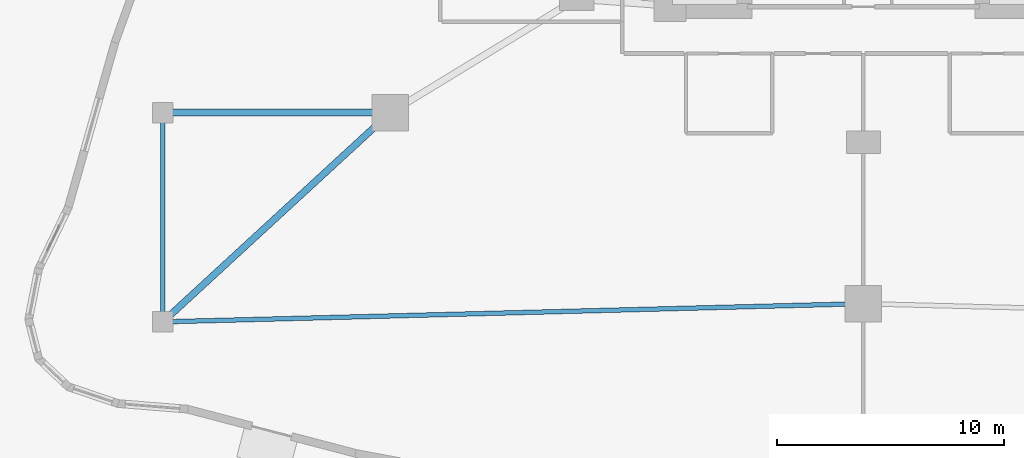
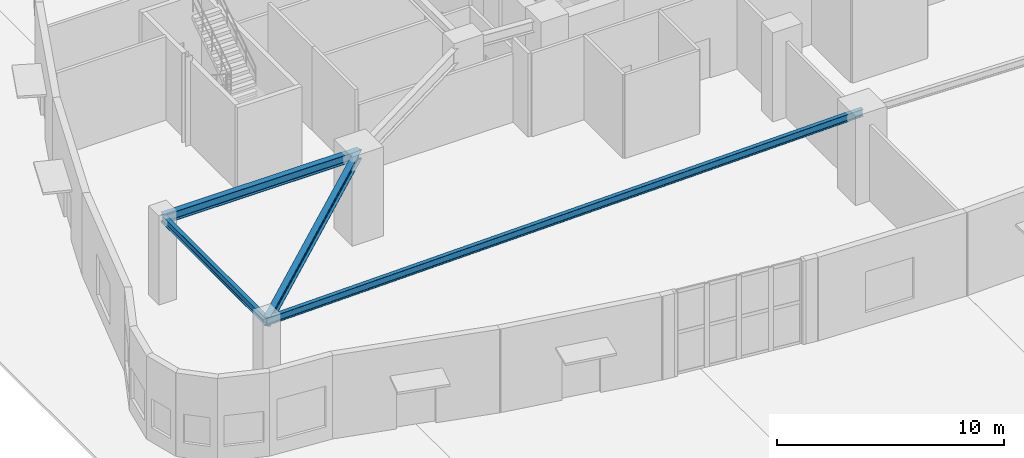
# One storey, part 5 of 32: 4 beams.
"""IFC4 building model written with IfcOpenShell, lengths in metres."""

from ifc_helpers import new_model, si_unit, direction, frame, origin, origin_2d, place, context, subcontext, project, spatial, i_section, extrude, material, material_profile, profile_set, type_object, element, save


model = new_model("IFC4")

# Units and contexts
model_context = context("Model", 3, precision=1e-05, world=origin(), true_north=direction((0.0, 1.0)))
body_context = subcontext(model_context, "Body", "Model", "MODEL_VIEW")
ifc_project = project(units=[si_unit("LENGTHUNIT", "METRE"), si_unit("AREAUNIT", "SQUARE_METRE"), si_unit("VOLUMEUNIT", "CUBIC_METRE"), si_unit("PLANEANGLEUNIT", "RADIAN"), si_unit("MASSUNIT", "GRAM", prefix="KILO")], contexts=[model_context])

# Site, building, storey
site_placement = place(None, origin())
site = spatial("IfcSite", under=ifc_project, at=site_placement, CompositionType="ELEMENT")
building_placement = place(site_placement, origin())
building = spatial("IfcBuilding", under=site, at=building_placement, Name="Miruveldt Soraemaru", CompositionType="ELEMENT")
storey_placement = place(building_placement, origin())
storey = spatial("IfcBuildingStorey", under=building, at=storey_placement, Name="L01", CompositionType="ELEMENT", Elevation=0.0)

# Beams
ifc_material = material(Name="Steel SM355 (355 MPa)", Category="steel")
ifc_material_profile_1 = material_profile(ifc_material, i_section(OverallWidth=0.199951171875, OverallDepth=0.39990234375, WebThickness=0.008056640625, FlangeThickness=0.012939453125, FilletRadius=0.01611328125, at=origin_2d()), Name="Steel SM355 (355 MPa)", Category="steel")
ifc_profile_set_1 = profile_set([ifc_material_profile_1], Name="Steel SM355 (355 MPa)")
beam_type_1 = type_object("IfcBeamType", Name="BM-ST-H400", PredefinedType="JOIST", material=ifc_profile_set_1)
beam_1_placement = place(storey_placement, frame((13.199951171875, 30.800048828125, 4.300048828125), z_axis=(0.0, -1.0, 0.0), x_axis=(1.0, 0.0, 0.0)))
element("IfcBeam", 1, at=beam_1_placement, inside=storey, type_object=beam_type_1, Name="L01 Podium West Bay Edge Beam", PredefinedType="JOIST", context=body_context, shape_type="SweptSolid", body=[
    extrude(i_section(OverallWidth=0.199951171875, OverallDepth=0.39990234375, WebThickness=0.008056640625, FlangeThickness=0.012939453125, FilletRadius=0.01611328125, at=origin_2d()), origin(), (0.0, 0.0, 1.0), 9.199951171875),
])
beam_2_placement = place(storey_placement, frame((13.199951171875, 21.60009765625, 4.300048828125), z_axis=(0.999663011165, 0.025958892686, 0.0), x_axis=(-0.025958892686, 0.999663011165, 0.0)))
element("IfcBeam", 2, at=beam_2_placement, inside=storey, type_object=beam_type_1, Name="L01 Podium South-West Tie Beam", PredefinedType="JOIST", context=body_context, shape_type="SweptSolid", body=[
    extrude(i_section(OverallWidth=0.199951171875, OverallDepth=0.39990234375, WebThickness=0.008056640625, FlangeThickness=0.012939453125, FilletRadius=0.01611328125, at=origin_2d()), origin(), (0.0, 0.0, 1.0), 30.810546875),
])
ifc_material_profile_2 = material_profile(ifc_material, i_section(OverallWidth=0.300048828125, OverallDepth=0.488037109375, WebThickness=0.010986328125, FlangeThickness=0.01806640625, FilletRadius=0.02587890625, at=origin_2d()), Name="Steel SM355 (355 MPa)", Category="steel")
ifc_profile_set_2 = profile_set([ifc_material_profile_2], Name="Steel SM355 (355 MPa)")
beam_type_2 = type_object("IfcBeamType", Name="BM-ST-H488", PredefinedType="BEAM", material=ifc_profile_set_2)
beam_3_placement = place(storey_placement, frame((23.199951171875, 30.800048828125, 4.256103515625), z_axis=(-1.0, 0.0, 0.0), x_axis=(0.0, -1.0, 0.0)))
element("IfcBeam", 3, at=beam_3_placement, inside=storey, type_object=beam_type_2, Name="L01 Podium West Bay Girder 1", PredefinedType="BEAM", context=body_context, shape_type="SweptSolid", body=[
    extrude(i_section(OverallWidth=0.300048828125, OverallDepth=0.488037109375, WebThickness=0.010986328125, FlangeThickness=0.01806640625, FilletRadius=0.02587890625, at=origin_2d()), origin(), (0.0, 0.0, 1.0), 10.0),
])
beam_4_placement = place(storey_placement, frame((13.199951171875, 21.60009765625, 4.256103515625), z_axis=(0.735932802242, 0.677054584641, 0.0), x_axis=(-0.677054584641, 0.735932802242, 0.0)))
element("IfcBeam", 4, at=beam_4_placement, inside=storey, type_object=beam_type_2, Name="L01 Podium West Bay Tie Girder", PredefinedType="BEAM", context=body_context, shape_type="SweptSolid", body=[
    extrude(i_section(OverallWidth=0.300048828125, OverallDepth=0.488037109375, WebThickness=0.010986328125, FlangeThickness=0.01806640625, FilletRadius=0.02587890625, at=origin_2d()), origin(), (0.0, 0.0, 1.0), 13.588134765625),
])

save(model, "model.ifc")
